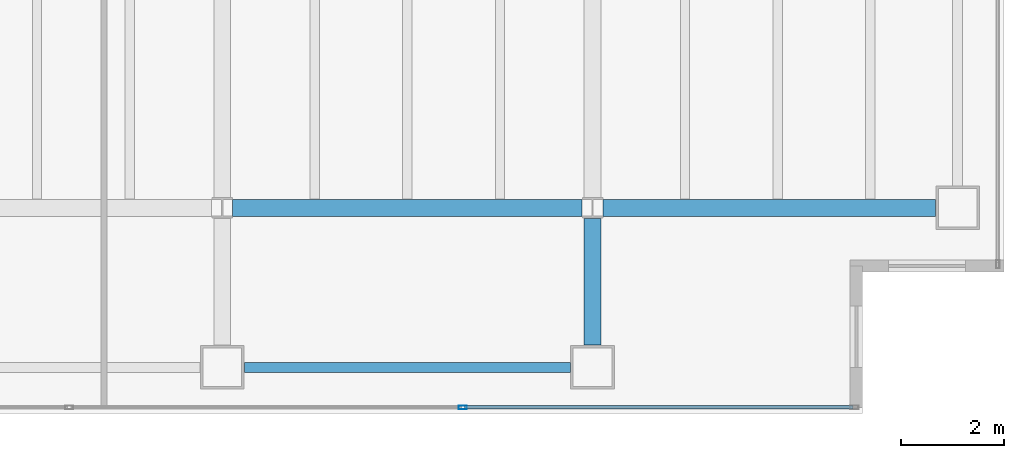
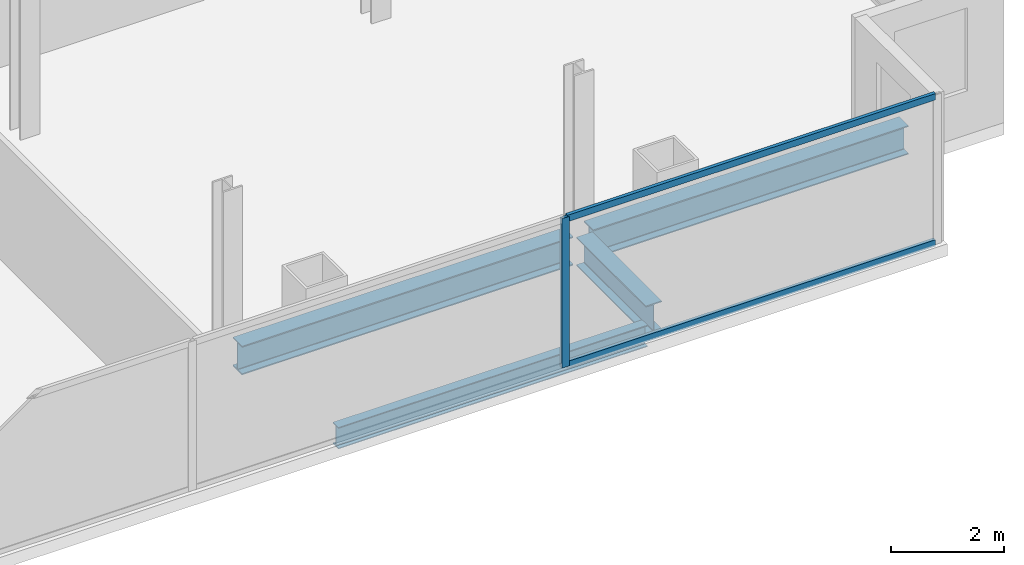
# One storey, part 10 of 23: 4 beams, 3 members, 1 element without a shape of its own.
"""IFC4 building model written with IfcOpenShell, lengths in metres."""

from ifc_helpers import new_model, si_unit, direction, frame, origin, origin_2d, place, context, subcontext, project, spatial, hollow_rectangle, i_section, extrude, material, material_profile, profile_set, type_object, element, aggregate, save


model = new_model("IFC4")

# Units and contexts
model_context = context("Model", 3, precision=1e-05, world=origin(), true_north=direction((0.0, 1.0)))
body_context = subcontext(model_context, "Body", "Model", "MODEL_VIEW")
ifc_project = project(units=[si_unit("LENGTHUNIT", "METRE"), si_unit("AREAUNIT", "SQUARE_METRE"), si_unit("VOLUMEUNIT", "CUBIC_METRE"), si_unit("PLANEANGLEUNIT", "RADIAN"), si_unit("MASSUNIT", "GRAM", prefix="KILO")], contexts=[model_context])

# Site, building, storey
site_placement = place(None, origin())
site = spatial("IfcSite", under=ifc_project, at=site_placement, CompositionType="ELEMENT")
building_placement = place(site_placement, origin())
building = spatial("IfcBuilding", under=site, at=building_placement, Name="Cobrela Telecom Tower", CompositionType="ELEMENT")
storey_placement = place(building_placement, frame((0.0, 0.0, 183.75)))
storey = spatial("IfcBuildingStorey", under=building, at=storey_placement, Name="L46", CompositionType="ELEMENT", Elevation=183.75)

# Beams
ifc_material_1 = material(Name="Steel ASTM A992 Grade 50", Category="steel")
ifc_material_profile_1 = material_profile(ifc_material_1, i_section(OverallWidth=0.327880859375, OverallDepth=0.6220703125, WebThickness=0.015380859375, FlangeThickness=0.0244140625, FilletRadius=0.014892578125, at=origin_2d()), Name="W24X131")
ifc_profile_set_1 = profile_set([ifc_material_profile_1], Name="Steel ASTM A992 Grade 50")
beam_type_1 = type_object("IfcBeamType", Name="BM-GIRD-06", PredefinedType="USERDEFINED", material=ifc_profile_set_1)
beam_1_placement = place(storey_placement, frame((29.00439453125, 7.199951171875, -0.571044921875), z_axis=(1.0, 0.0, 0.0), x_axis=(0.0, 1.0, 0.0)))
element("IfcBeam", 1, at=beam_1_placement, inside=storey, type_object=beam_type_1, Name="L46 Primary Girder X09", ObjectType="GIRDER", PredefinedType="USERDEFINED", context=body_context, shape_type="SweptSolid", body=[
    extrude(i_section(OverallWidth=0.327880859375, OverallDepth=0.6220703125, WebThickness=0.015380859375, FlangeThickness=0.0244140625, FilletRadius=0.014892578125, at=origin_2d()), origin(), (0.0, 0.0, 1.0), 6.791015625),
])
beam_2_placement = place(storey_placement, frame((36.20458984375, 7.199951171875, -0.571044921875), z_axis=(1.0, 0.0, 0.0), x_axis=(0.0, 1.0, 0.0)))
element("IfcBeam", 2, at=beam_2_placement, inside=storey, type_object=beam_type_1, Name="L46 Primary Girder X10", ObjectType="GIRDER", PredefinedType="USERDEFINED", context=body_context, shape_type="SweptSolid", body=[
    extrude(i_section(OverallWidth=0.327880859375, OverallDepth=0.6220703125, WebThickness=0.015380859375, FlangeThickness=0.0244140625, FilletRadius=0.014892578125, at=origin_2d()), origin(), (0.0, 0.0, 1.0), 6.46533203125),
])
beam_3_placement = place(storey_placement, frame((36.0, 4.530029296875, -0.571044921875), z_axis=(0.0, 1.0, 0.0), x_axis=(-1.0, 0.0, 0.0)))
element("IfcBeam", 3, at=beam_3_placement, inside=storey, type_object=beam_type_1, Name="L46 Primary Girder Y39", ObjectType="GIRDER", PredefinedType="USERDEFINED", context=body_context, shape_type="SweptSolid", body=[
    extrude(i_section(OverallWidth=0.327880859375, OverallDepth=0.6220703125, WebThickness=0.015380859375, FlangeThickness=0.0244140625, FilletRadius=0.014892578125, at=origin_2d()), origin(), (0.0, 0.0, 1.0), 2.465576171875),
])
ifc_material_profile_2 = material_profile(ifc_material_1, i_section(OverallWidth=0.193115234375, OverallDepth=0.467041015625, WebThickness=0.011474609375, FlangeThickness=0.01904296875, FilletRadius=0.012939453125, at=origin_2d()), Name="W18X65")
ifc_profile_set_2 = profile_set([ifc_material_profile_2], Name="Steel ASTM A992 Grade 50")
beam_type_2 = type_object("IfcBeamType", Name="BM-SPAND-05", PredefinedType="SPANDREL", material=ifc_profile_set_2)
beam_4_placement = place(storey_placement, frame((29.22998046875, 4.10009765625, -0.493408203125), z_axis=(1.0, 0.0, 0.0), x_axis=(0.0, 1.0, 0.0)))
element("IfcBeam", 4, at=beam_4_placement, inside=storey, type_object=beam_type_2, Name="L46 Perimeter Spandrel X04", PredefinedType="SPANDREL", context=body_context, shape_type="SweptSolid", body=[
    extrude(i_section(OverallWidth=0.193115234375, OverallDepth=0.467041015625, WebThickness=0.011474609375, FlangeThickness=0.01904296875, FilletRadius=0.012939453125, at=origin_2d()), origin(), (0.0, 0.0, 1.0), 6.340087890625),
])

# Curtain wall, members
ifc_material_2 = material(Name="Anodized Bronze Aluminium 6063-T6", Category="aluminium")
curtain_wall_type = type_object("IfcCurtainWallType", Name="CW-SYS-OFF-LO", PredefinedType="USERDEFINED", material=ifc_material_2)
curtain_wall_placement = place(storey_placement, origin())
curtain_wall = element("IfcCurtainWall", 5, at=curtain_wall_placement, inside=storey, type_object=curtain_wall_type, Name="L46 Unitised Bronze Curtain Wall 17", ObjectType="UNITISED CURTAIN WALL", PredefinedType="USERDEFINED")
ifc_material_profile_3 = material_profile(ifc_material_2, hollow_rectangle(XDim=0.070068359375, YDim=0.159912109375, WallThickness=0.00390625, at=origin_2d()), Name="ALU 70x160x4")
ifc_profile_set_3 = profile_set([ifc_material_profile_3], Name="Anodized Bronze Aluminium 6063-T6")
member_type_1 = type_object("IfcMemberType", Name="CW-SYS-OFF-LO-MUL", PredefinedType="MULLION", material=ifc_profile_set_3)
member_1_placement = place(storey_placement, frame((33.47802734375, 3.320068359375, 0.0), z_axis=(0.0, 0.0, 1.0), x_axis=(0.0, -1.0, 0.0)))
member_1 = element("IfcMember", 6, at=member_1_placement, type_object=member_type_1, Name="CW-OFF-LO mullion 2", PredefinedType="MULLION", context=body_context, shape_type="SweptSolid", body=[
    extrude(hollow_rectangle(XDim=0.070068359375, YDim=0.159912109375, WallThickness=0.00390625, at=origin_2d()), origin(), (0.0, 0.0, 1.0), 3.239990234375),
])
ifc_material_profile_4 = material_profile(ifc_material_2, hollow_rectangle(XDim=0.070068359375, YDim=0.139892578125, WallThickness=0.00390625, at=origin_2d()), Name="ALU 70x140x4")
ifc_profile_set_4 = profile_set([ifc_material_profile_4], Name="Anodized Bronze Aluminium 6063-T6")
member_type_2 = type_object("IfcMemberType", Name="CW-SYS-OFF-LO-TRN", PredefinedType="USERDEFINED", material=ifc_profile_set_4)
member_2_placement = place(storey_placement, frame((41.06005859375, 3.320068359375, 0.034912109375), z_axis=(-1.0, 0.0, 0.0), x_axis=(0.0, -1.0, 0.0)))
member_2 = element("IfcMember", 7, at=member_2_placement, type_object=member_type_2, Name="CW-OFF-LO transom 1.1", ObjectType="TRANSOM", PredefinedType="USERDEFINED", context=body_context, shape_type="SweptSolid", body=[
    extrude(hollow_rectangle(XDim=0.070068359375, YDim=0.139892578125, WallThickness=0.00390625, at=origin_2d()), origin(), (0.0, 0.0, 1.0), 7.547119140625),
])
member_3_placement = place(storey_placement, frame((41.06005859375, 3.320068359375, 3.205078125), z_axis=(-1.0, 0.0, 0.0), x_axis=(0.0, -1.0, 0.0)))
member_3 = element("IfcMember", 8, at=member_3_placement, type_object=member_type_2, Name="CW-OFF-LO transom 1.2", ObjectType="TRANSOM", PredefinedType="USERDEFINED", context=body_context, shape_type="SweptSolid", body=[
    extrude(hollow_rectangle(XDim=0.070068359375, YDim=0.139892578125, WallThickness=0.00390625, at=origin_2d()), origin(), (0.0, 0.0, 1.0), 7.547119140625),
])
aggregate(curtain_wall, [member_1, member_2, member_3])

save(model, "model.ifc")
